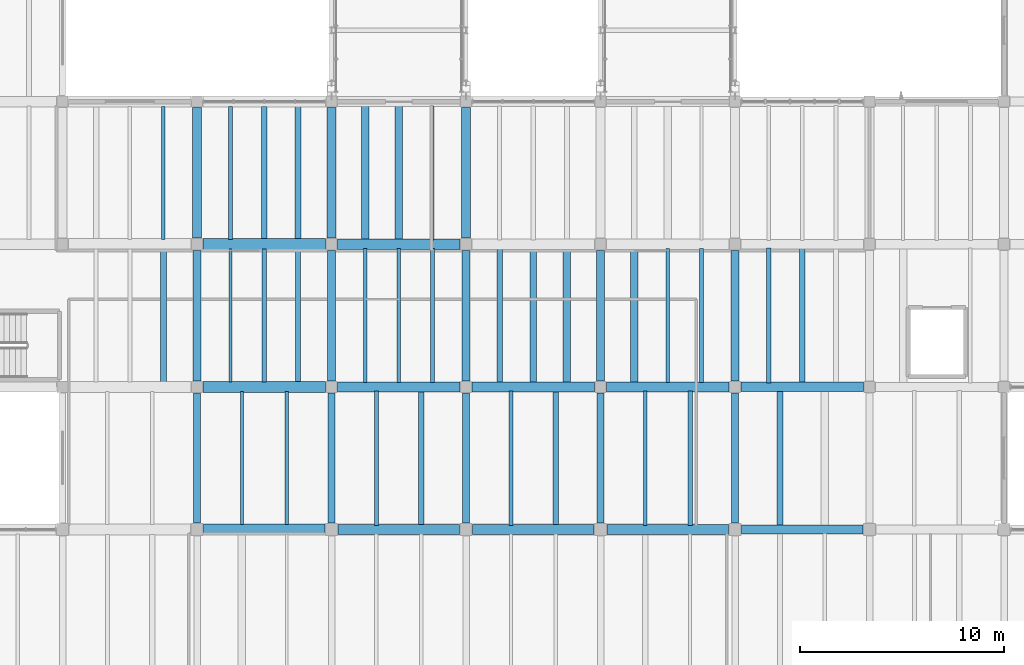
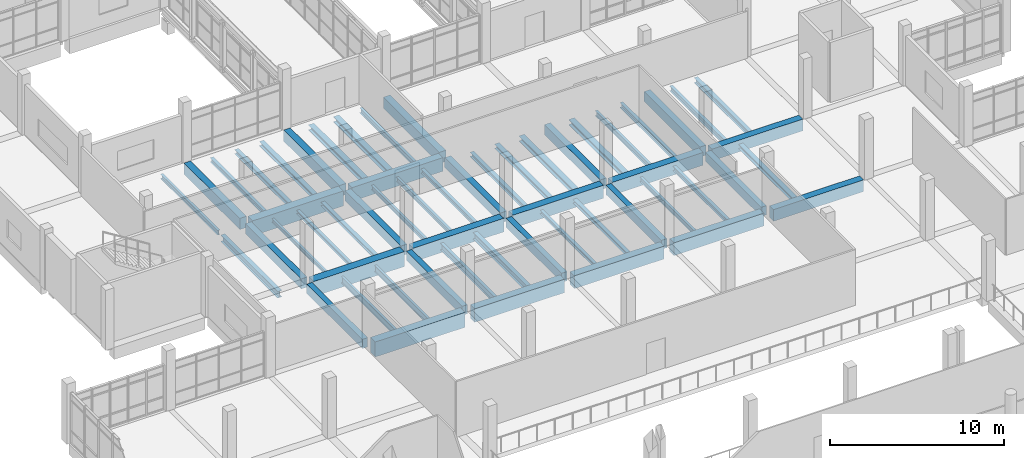
# One storey, part 17 of 67: 56 beams.
"""IFC4 building model written with IfcOpenShell, lengths in metres."""

from ifc_helpers import new_model, si_unit, direction, frame, origin, origin_2d, place, context, subcontext, project, spatial, rectangle, i_section, extrude, material, material_profile, profile_set, type_object, element, save


model = new_model("IFC4")

# Units and contexts
model_context = context("Model", 3, precision=1e-05, world=origin(), true_north=direction((0.0, 1.0)))
body_context = subcontext(model_context, "Body", "Model", "MODEL_VIEW")
ifc_project = project(units=[si_unit("LENGTHUNIT", "METRE"), si_unit("AREAUNIT", "SQUARE_METRE"), si_unit("VOLUMEUNIT", "CUBIC_METRE"), si_unit("PLANEANGLEUNIT", "RADIAN"), si_unit("MASSUNIT", "GRAM", prefix="KILO")], contexts=[model_context])

# Site, building, storey
site_placement = place(None, origin())
site = spatial("IfcSite", under=ifc_project, at=site_placement, CompositionType="ELEMENT")
building_placement = place(site_placement, origin())
building = spatial("IfcBuilding", under=site, at=building_placement, Name="Ciguamira Faculty of Natural Sciences", CompositionType="ELEMENT")
storey_placement = place(building_placement, frame((0.0, 0.0, 8.39990234375)))
storey = spatial("IfcBuildingStorey", under=building, at=storey_placement, Name="L02", CompositionType="ELEMENT", Elevation=8.39990234375)

# Beams
ifc_material_1 = material(Name="Concrete C40/50", Category="concrete")
ifc_material_profile_1 = material_profile(ifc_material_1, rectangle(XDim=0.550048828125, YDim=1.050048828125, at=origin_2d()), Name="RC-BM-550X1050")
ifc_profile_set_1 = profile_set([ifc_material_profile_1], Name="Concrete C40/50")
beam_type_1 = type_object("IfcBeamType", Name="RCBeam_BG-01_RC-BM-550X1050", PredefinedType="BEAM", material=ifc_profile_set_1)
beam_1_placement = place(storey_placement, frame((70.824951171875, 38.0, -0.52490234375), z_axis=(1.0, 0.0, 0.0), x_axis=(0.0, 1.0, 0.0)))
element("IfcBeam", 1, at=beam_1_placement, inside=storey, type_object=beam_type_1, Name="L02 RC girder EW-0775", PredefinedType="BEAM", context=body_context, shape_type="SweptSolid", body=[
    extrude(rectangle(XDim=0.550048828125, YDim=1.050048828125, at=origin_2d()), origin(), (0.0, 0.0, 1.0), 5.949951171875),
])
for number, where, z_axis, x_axis, name in (
    (2, (70.800048828125, 45.0, -0.52490234375), (1.0, 0.0, 0.0), (0.0, 1.0, 0.0), "L02 RC girder EW-0785"),
    (3, (70.800048828125, 52.0, -0.52490234375), (1.0, 0.0, 0.0), (0.0, 1.0, 0.0), "L02 RC girder EW-0794"),
):
    element("IfcBeam", number, at=place(storey_placement, frame(where, z_axis=z_axis, x_axis=x_axis)), inside=storey, type_object=beam_type_1, Name=name, PredefinedType="BEAM", context=body_context, shape_type="SweptSolid", body=[
        extrude(rectangle(XDim=0.550048828125, YDim=1.050048828125, at=origin_2d()), origin(), (0.0, 0.0, 1.0), 6.0),
    ])
ifc_material_profile_2 = material_profile(ifc_material_1, rectangle(XDim=0.5, YDim=0.949951171875, at=origin_2d()), Name="RC-BM-500X950")
ifc_profile_set_2 = profile_set([ifc_material_profile_2], Name="Concrete C40/50")
beam_type_2 = type_object("IfcBeamType", Name="RCBeam_BG-02_RC-BM-500X950", PredefinedType="BEAM", material=ifc_profile_set_2)
beam_2_placement = place(storey_placement, frame((77.425048828125, 38.0, -0.474853515625), z_axis=(1.0, 0.0, 0.0), x_axis=(0.0, 1.0, 0.0)))
element("IfcBeam", 4, at=beam_2_placement, inside=storey, type_object=beam_type_2, Name="L02 RC girder EW-0776", PredefinedType="BEAM", context=body_context, shape_type="SweptSolid", body=[
    extrude(rectangle(XDim=0.5, YDim=0.949951171875, at=origin_2d()), origin(), (0.0, 0.0, 1.0), 5.949951171875),
])
for number, where, z_axis, x_axis, name in (
    (5, (77.39990234375, 45.0, -0.474853515625), (1.0, 0.0, 0.0), (0.0, 1.0, 0.0), "L02 RC girder EW-0786"),
    (6, (77.39990234375, 52.0, -0.474853515625), (1.0, 0.0, 0.0), (0.0, 1.0, 0.0), "L02 RC girder EW-0795"),
):
    element("IfcBeam", number, at=place(storey_placement, frame(where, z_axis=z_axis, x_axis=x_axis)), inside=storey, type_object=beam_type_2, Name=name, PredefinedType="BEAM", context=body_context, shape_type="SweptSolid", body=[
        extrude(rectangle(XDim=0.5, YDim=0.949951171875, at=origin_2d()), origin(), (0.0, 0.0, 1.0), 6.0),
    ])
ifc_material_profile_3 = material_profile(ifc_material_1, rectangle(XDim=0.5, YDim=0.89990234375, at=origin_2d()), Name="RC-BM-500X900")
ifc_profile_set_3 = profile_set([ifc_material_profile_3], Name="Concrete C40/50")
beam_type_3 = type_object("IfcBeamType", Name="RCBeam_BG-03_RC-BM-500X900", PredefinedType="BEAM", material=ifc_profile_set_3)
beam_3_placement = place(storey_placement, frame((84.02490234375, 38.0, -0.449951171875), z_axis=(1.0, 0.0, 0.0), x_axis=(0.0, 1.0, 0.0)))
element("IfcBeam", 7, at=beam_3_placement, inside=storey, type_object=beam_type_3, Name="L02 RC girder EW-0777", PredefinedType="BEAM", context=body_context, shape_type="SweptSolid", body=[
    extrude(rectangle(XDim=0.5, YDim=0.89990234375, at=origin_2d()), origin(), (0.0, 0.0, 1.0), 5.9501953125),
])
beam_4_placement = place(storey_placement, frame((90.625, 38.0, -0.449951171875), z_axis=(1.0, 0.0, 0.0), x_axis=(0.0, 1.0, 0.0)))
element("IfcBeam", 8, at=beam_4_placement, inside=storey, type_object=beam_type_3, Name="L02 RC girder EW-0778", PredefinedType="BEAM", context=body_context, shape_type="SweptSolid", body=[
    extrude(rectangle(XDim=0.5, YDim=0.89990234375, at=origin_2d()), origin(), (0.0, 0.0, 1.0), 5.949951171875),
])
for number, where, z_axis, x_axis, name in (
    (9, (84.0, 45.0, -0.449951171875), (1.0, 0.0, 0.0), (0.0, 1.0, 0.0), "L02 RC girder EW-0787"),
    (10, (90.60009765625, 45.0, -0.449951171875), (1.0, 0.0, 0.0), (0.0, 1.0, 0.0), "L02 RC girder EW-0788"),
):
    element("IfcBeam", number, at=place(storey_placement, frame(where, z_axis=z_axis, x_axis=x_axis)), inside=storey, type_object=beam_type_3, Name=name, PredefinedType="BEAM", context=body_context, shape_type="SweptSolid", body=[
        extrude(rectangle(XDim=0.5, YDim=0.89990234375, at=origin_2d()), origin(), (0.0, 0.0, 1.0), 6.0),
    ])
ifc_material_profile_4 = material_profile(ifc_material_1, rectangle(XDim=0.4599609375, YDim=0.820068359375, at=origin_2d()), Name="RC-BM-460X820")
ifc_profile_set_4 = profile_set([ifc_material_profile_4], Name="Concrete C40/50")
beam_type_4 = type_object("IfcBeamType", Name="RCBeam_BG-04_RC-BM-460X820", PredefinedType="BEAM", material=ifc_profile_set_4)
beam_5_placement = place(storey_placement, frame((97.22509765625, 38.0, -0.409912109375), z_axis=(1.0, 0.0, 0.0), x_axis=(0.0, 1.0, 0.0)))
element("IfcBeam", 11, at=beam_5_placement, inside=storey, type_object=beam_type_4, Name="L02 RC girder EW-0779", PredefinedType="BEAM", context=body_context, shape_type="SweptSolid", body=[
    extrude(rectangle(XDim=0.4599609375, YDim=0.820068359375, at=origin_2d()), origin(), (0.0, 0.0, 1.0), 5.949951171875),
])
beam_6_placement = place(storey_placement, frame((97.199951171875, 45.0, -0.409912109375), z_axis=(1.0, 0.0, 0.0), x_axis=(0.0, 1.0, 0.0)))
element("IfcBeam", 12, at=beam_6_placement, inside=storey, type_object=beam_type_4, Name="L02 RC girder EW-0789", PredefinedType="BEAM", context=body_context, shape_type="SweptSolid", body=[
    extrude(rectangle(XDim=0.4599609375, YDim=0.820068359375, at=origin_2d()), origin(), (0.0, 0.0, 1.0), 6.0),
])
ifc_material_profile_5 = material_profile(ifc_material_1, rectangle(XDim=0.43994140625, YDim=0.780029296875, at=origin_2d()), Name="RC-BM-440X780")
ifc_profile_set_5 = profile_set([ifc_material_profile_5], Name="Concrete C40/50")
beam_type_5 = type_object("IfcBeamType", Name="RCBeam_BG-06_RC-BM-440X780", PredefinedType="BEAM", material=ifc_profile_set_5)
for number, where, z_axis, x_axis, name in (
    (13, (70.5, 52.300048828125, -0.389892578125), (0.0, 1.0, 0.0), (-1.0, 0.0, 0.0), "L02 girder NS-0927"),
    (14, (77.10009765625, 52.300048828125, -0.389892578125), (0.0, 1.0, 0.0), (-1.0, 0.0, 0.0), "L02 girder NS-0937"),
    (15, (83.699951171875, 52.300048828125, -0.389892578125), (0.0, 1.0, 0.0), (-1.0, 0.0, 0.0), "L02 girder NS-0947"),
):
    element("IfcBeam", number, at=place(storey_placement, frame(where, z_axis=z_axis, x_axis=x_axis)), inside=storey, type_object=beam_type_5, Name=name, PredefinedType="BEAM", context=body_context, shape_type="SweptSolid", body=[
        extrude(rectangle(XDim=0.43994140625, YDim=0.780029296875, at=origin_2d()), origin(), (0.0, 0.0, 1.0), 6.39990234375),
    ])
ifc_material_profile_6 = material_profile(ifc_material_1, rectangle(XDim=0.39990234375, YDim=0.699951171875, at=origin_2d()), Name="RC-BM-400X700")
ifc_profile_set_6 = profile_set([ifc_material_profile_6], Name="Concrete C40/50")
beam_type_6 = type_object("IfcBeamType", Name="RCBeam_BG-08_RC-BM-400X700", PredefinedType="BEAM", material=ifc_profile_set_6)
for number, where, z_axis, x_axis, name in (
    (16, (70.5, 45.300048828125, -0.349853515625), (0.0, 1.0, 0.0), (-1.0, 0.0, 0.0), "L02 girder NS-0926"),
    (17, (77.10009765625, 45.300048828125, -0.349853515625), (0.0, 1.0, 0.0), (-1.0, 0.0, 0.0), "L02 girder NS-0936"),
    (18, (83.699951171875, 45.300048828125, -0.349853515625), (0.0, 1.0, 0.0), (-1.0, 0.0, 0.0), "L02 girder NS-0946"),
    (19, (90.300048828125, 45.300048828125, -0.349853515625), (0.0, 1.0, 0.0), (-1.0, 0.0, 0.0), "L02 girder NS-0957"),
    (20, (96.89990234375, 45.300048828125, -0.349853515625), (0.0, 1.0, 0.0), (-1.0, 0.0, 0.0), "L02 girder NS-0968"),
):
    element("IfcBeam", number, at=place(storey_placement, frame(where, z_axis=z_axis, x_axis=x_axis)), inside=storey, type_object=beam_type_6, Name=name, PredefinedType="BEAM", context=body_context, shape_type="SweptSolid", body=[
        extrude(rectangle(XDim=0.39990234375, YDim=0.699951171875, at=origin_2d()), origin(), (0.0, 0.0, 1.0), 6.39990234375),
    ])
ifc_material_profile_7 = material_profile(ifc_material_1, rectangle(XDim=0.360107421875, YDim=0.639892578125, at=origin_2d()), Name="RC-BM-360X640")
ifc_profile_set_7 = profile_set([ifc_material_profile_7], Name="Concrete C40/50")
beam_type_7 = type_object("IfcBeamType", Name="RCBeam_BG-10_RC-BM-360X640", PredefinedType="BEAM", material=ifc_profile_set_7)
for number, where, z_axis, x_axis, name in (
    (21, (70.5, 38.324951171875, -0.31982421875), (0.0, 1.0, 0.0), (-1.0, 0.0, 0.0), "L02 girder NS-0925"),
    (22, (77.10009765625, 38.324951171875, -0.31982421875), (0.0, 1.0, 0.0), (-1.0, 0.0, 0.0), "L02 girder NS-0935"),
    (23, (83.699951171875, 38.324951171875, -0.31982421875), (0.0, 1.0, 0.0), (-1.0, 0.0, 0.0), "L02 girder NS-0945"),
    (24, (90.300048828125, 38.324951171875, -0.31982421875), (0.0, 1.0, 0.0), (-1.0, 0.0, 0.0), "L02 girder NS-0956"),
    (25, (96.89990234375, 38.324951171875, -0.31982421875), (0.0, 1.0, 0.0), (-1.0, 0.0, 0.0), "L02 girder NS-0967"),
):
    element("IfcBeam", number, at=place(storey_placement, frame(where, z_axis=z_axis, x_axis=x_axis)), inside=storey, type_object=beam_type_7, Name=name, PredefinedType="BEAM", context=body_context, shape_type="SweptSolid", body=[
        extrude(rectangle(XDim=0.360107421875, YDim=0.639892578125, at=origin_2d()), origin(), (0.0, 0.0, 1.0), 6.375),
    ])
ifc_material_2 = material(Name="Steel ASTM A992 Grade 50", Category="steel")
ifc_material_profile_8 = material_profile(ifc_material_2, i_section(OverallWidth=0.14599609375, OverallDepth=0.259033203125, WebThickness=0.006103515625, FlangeThickness=0.009033203125, at=origin_2d()), Name="W10X22")
ifc_profile_set_8 = profile_set([ifc_material_profile_8], Name="Steel ASTM A992 Grade 50")
beam_type_8 = type_object("IfcBeamType", Name="SteelJoist_SJ-01_W10X22", PredefinedType="JOIST", material=ifc_profile_set_8)
beam_7_placement = place(storey_placement, frame((72.14990234375, 45.235107421875, -0.409423828125), z_axis=(0.0, 1.0, 0.0), x_axis=(-1.0, 0.0, 0.0)))
element("IfcBeam", 26, at=beam_7_placement, inside=storey, type_object=beam_type_8, Name="L02 composite steel joist 00771", PredefinedType="JOIST", context=body_context, shape_type="SweptSolid", body=[
    extrude(i_section(OverallWidth=0.14599609375, OverallDepth=0.259033203125, WebThickness=0.006103515625, FlangeThickness=0.009033203125, at=origin_2d()), origin(), (0.0, 0.0, 1.0), 6.52978515625),
])
ifc_material_profile_9 = material_profile(ifc_material_2, i_section(OverallWidth=0.2021484375, OverallDepth=0.2470703125, WebThickness=0.00732421875, FlangeThickness=0.010986328125, at=origin_2d()), Name="W10X33")
ifc_profile_set_9 = profile_set([ifc_material_profile_9], Name="Steel ASTM A992 Grade 50")
beam_type_9 = type_object("IfcBeamType", Name="SteelJoist_SJ-02_W10X33", PredefinedType="JOIST", material=ifc_profile_set_9)
beam_8_placement = place(storey_placement, frame((73.800048828125, 45.235107421875, -0.403564453125), z_axis=(0.0, 1.0, 0.0), x_axis=(-1.0, 0.0, 0.0)))
element("IfcBeam", 27, at=beam_8_placement, inside=storey, type_object=beam_type_9, Name="L02 composite steel joist 00772", PredefinedType="JOIST", context=body_context, shape_type="SweptSolid", body=[
    extrude(i_section(OverallWidth=0.2021484375, OverallDepth=0.2470703125, WebThickness=0.00732421875, FlangeThickness=0.010986328125, at=origin_2d()), origin(), (0.0, 0.0, 1.0), 6.52978515625),
])
beam_9_placement = place(storey_placement, frame((85.89990234375, 38.2099609375, -0.403564453125), z_axis=(0.0, 1.0, 0.0), x_axis=(-1.0, 0.0, 0.0)))
element("IfcBeam", 28, at=beam_9_placement, inside=storey, type_object=beam_type_9, Name="L02 composite steel joist 00820", PredefinedType="JOIST", context=body_context, shape_type="SweptSolid", body=[
    extrude(i_section(OverallWidth=0.2021484375, OverallDepth=0.2470703125, WebThickness=0.00732421875, FlangeThickness=0.010986328125, at=origin_2d()), origin(), (0.0, 0.0, 1.0), 6.580078125),
])
ifc_material_profile_10 = material_profile(ifc_material_2, i_section(OverallWidth=0.25390625, OverallDepth=0.25390625, WebThickness=0.008544921875, FlangeThickness=0.01416015625, at=origin_2d()), Name="W10X49")
ifc_profile_set_10 = profile_set([ifc_material_profile_10], Name="Steel ASTM A992 Grade 50")
beam_type_10 = type_object("IfcBeamType", Name="SteelJoist_SJ-03_W10X49", PredefinedType="JOIST", material=ifc_profile_set_10)
beam_10_placement = place(storey_placement, frame((75.449951171875, 45.235107421875, -0.406982421875), z_axis=(0.0, 1.0, 0.0), x_axis=(-1.0, 0.0, 0.0)))
element("IfcBeam", 29, at=beam_10_placement, inside=storey, type_object=beam_type_10, Name="L02 composite steel joist 00773", PredefinedType="JOIST", context=body_context, shape_type="SweptSolid", body=[
    extrude(i_section(OverallWidth=0.25390625, OverallDepth=0.25390625, WebThickness=0.008544921875, FlangeThickness=0.01416015625, at=origin_2d()), origin(), (0.0, 0.0, 1.0), 6.52978515625),
])
beam_11_placement = place(storey_placement, frame((88.10009765625, 38.2099609375, -0.406982421875), z_axis=(0.0, 1.0, 0.0), x_axis=(-1.0, 0.0, 0.0)))
element("IfcBeam", 30, at=beam_11_placement, inside=storey, type_object=beam_type_10, Name="L02 composite steel joist 00821", PredefinedType="JOIST", context=body_context, shape_type="SweptSolid", body=[
    extrude(i_section(OverallWidth=0.25390625, OverallDepth=0.25390625, WebThickness=0.008544921875, FlangeThickness=0.01416015625, at=origin_2d()), origin(), (0.0, 0.0, 1.0), 6.580078125),
])
ifc_material_profile_11 = material_profile(ifc_material_2, i_section(OverallWidth=0.164794921875, OverallDepth=0.309814453125, WebThickness=0.005859375, FlangeThickness=0.009765625, at=origin_2d()), Name="W12X26")
ifc_profile_set_11 = profile_set([ifc_material_profile_11], Name="Steel ASTM A992 Grade 50")
beam_type_11 = type_object("IfcBeamType", Name="SteelJoist_SJ-04_W12X26", PredefinedType="JOIST", material=ifc_profile_set_11)
beam_12_placement = place(storey_placement, frame((78.75, 45.2099609375, -0.434814453125), z_axis=(0.0, 1.0, 0.0), x_axis=(-1.0, 0.0, 0.0)))
element("IfcBeam", 31, at=beam_12_placement, inside=storey, type_object=beam_type_11, Name="L02 composite steel joist 00796", PredefinedType="JOIST", context=body_context, shape_type="SweptSolid", body=[
    extrude(i_section(OverallWidth=0.164794921875, OverallDepth=0.309814453125, WebThickness=0.005859375, FlangeThickness=0.009765625, at=origin_2d()), origin(), (0.0, 0.0, 1.0), 6.580078125),
])
ifc_material_profile_12 = material_profile(ifc_material_2, i_section(OverallWidth=0.16650390625, OverallDepth=0.3173828125, WebThickness=0.007568359375, FlangeThickness=0.01318359375, at=origin_2d()), Name="W12X35")
ifc_profile_set_12 = profile_set([ifc_material_profile_12], Name="Steel ASTM A992 Grade 50")
beam_type_12 = type_object("IfcBeamType", Name="SteelJoist_SJ-05_W12X35", PredefinedType="JOIST", material=ifc_profile_set_12)
beam_13_placement = place(storey_placement, frame((68.85009765625, 52.235107421875, -0.438720703125), z_axis=(0.0, 1.0, 0.0), x_axis=(-1.0, 0.0, 0.0)))
element("IfcBeam", 32, at=beam_13_placement, inside=storey, type_object=beam_type_12, Name="L02 composite steel joist 00750", PredefinedType="JOIST", context=body_context, shape_type="SweptSolid", body=[
    extrude(i_section(OverallWidth=0.16650390625, OverallDepth=0.3173828125, WebThickness=0.007568359375, FlangeThickness=0.01318359375, at=origin_2d()), origin(), (0.0, 0.0, 1.0), 6.52978515625),
])
for number, where, z_axis, x_axis, name in (
    (33, (80.39990234375, 45.2099609375, -0.438720703125), (0.0, 1.0, 0.0), (-1.0, 0.0, 0.0), "L02 composite steel joist 00797"),
    (34, (92.5, 38.2099609375, -0.438720703125), (0.0, 1.0, 0.0), (-1.0, 0.0, 0.0), "L02 composite steel joist 00845"),
):
    element("IfcBeam", number, at=place(storey_placement, frame(where, z_axis=z_axis, x_axis=x_axis)), inside=storey, type_object=beam_type_12, Name=name, PredefinedType="JOIST", context=body_context, shape_type="SweptSolid", body=[
        extrude(i_section(OverallWidth=0.16650390625, OverallDepth=0.3173828125, WebThickness=0.007568359375, FlangeThickness=0.01318359375, at=origin_2d()), origin(), (0.0, 0.0, 1.0), 6.580078125),
    ])
ifc_material_profile_13 = material_profile(ifc_material_2, i_section(OverallWidth=0.20458984375, OverallDepth=0.307373046875, WebThickness=0.008544921875, FlangeThickness=0.0146484375, at=origin_2d()), Name="W12X45")
ifc_profile_set_13 = profile_set([ifc_material_profile_13], Name="Steel ASTM A992 Grade 50")
beam_type_13 = type_object("IfcBeamType", Name="SteelJoist_SJ-06_W12X45", PredefinedType="JOIST", material=ifc_profile_set_13)
beam_14_placement = place(storey_placement, frame((72.14990234375, 52.235107421875, -0.43359375), z_axis=(0.0, 1.0, 0.0), x_axis=(-1.0, 0.0, 0.0)))
element("IfcBeam", 35, at=beam_14_placement, inside=storey, type_object=beam_type_13, Name="L02 composite steel joist 00774", PredefinedType="JOIST", context=body_context, shape_type="SweptSolid", body=[
    extrude(i_section(OverallWidth=0.20458984375, OverallDepth=0.307373046875, WebThickness=0.008544921875, FlangeThickness=0.0146484375, at=origin_2d()), origin(), (0.0, 0.0, 1.0), 6.52978515625),
])
for number, where, z_axis, x_axis, name in (
    (36, (82.050048828125, 45.2099609375, -0.43359375), (0.0, 1.0, 0.0), (-1.0, 0.0, 0.0), "L02 composite steel joist 00798"),
    (37, (94.699951171875, 38.2099609375, -0.43359375), (0.0, 1.0, 0.0), (-1.0, 0.0, 0.0), "L02 composite steel joist 00846"),
):
    element("IfcBeam", number, at=place(storey_placement, frame(where, z_axis=z_axis, x_axis=x_axis)), inside=storey, type_object=beam_type_13, Name=name, PredefinedType="JOIST", context=body_context, shape_type="SweptSolid", body=[
        extrude(i_section(OverallWidth=0.20458984375, OverallDepth=0.307373046875, WebThickness=0.008544921875, FlangeThickness=0.0146484375, at=origin_2d()), origin(), (0.0, 0.0, 1.0), 6.580078125),
    ])
ifc_material_profile_14 = material_profile(ifc_material_2, i_section(OverallWidth=0.25390625, OverallDepth=0.307373046875, WebThickness=0.0087890625, FlangeThickness=0.0146484375, at=origin_2d()), Name="W12X53")
ifc_profile_set_14 = profile_set([ifc_material_profile_14], Name="Steel ASTM A992 Grade 50")
beam_type_14 = type_object("IfcBeamType", Name="SteelJoist_SJ-07_W12X53", PredefinedType="JOIST", material=ifc_profile_set_14)
beam_15_placement = place(storey_placement, frame((73.800048828125, 52.235107421875, -0.43359375), z_axis=(0.0, 1.0, 0.0), x_axis=(-1.0, 0.0, 0.0)))
element("IfcBeam", 38, at=beam_15_placement, inside=storey, type_object=beam_type_14, Name="L02 composite steel joist 00775", PredefinedType="JOIST", context=body_context, shape_type="SweptSolid", body=[
    extrude(i_section(OverallWidth=0.25390625, OverallDepth=0.307373046875, WebThickness=0.0087890625, FlangeThickness=0.0146484375, at=origin_2d()), origin(), (0.0, 0.0, 1.0), 6.52978515625),
])
beam_16_placement = place(storey_placement, frame((85.35009765625, 45.2099609375, -0.43359375), z_axis=(0.0, 1.0, 0.0), x_axis=(-1.0, 0.0, 0.0)))
element("IfcBeam", 39, at=beam_16_placement, inside=storey, type_object=beam_type_14, Name="L02 composite steel joist 00822", PredefinedType="JOIST", context=body_context, shape_type="SweptSolid", body=[
    extrude(i_section(OverallWidth=0.25390625, OverallDepth=0.307373046875, WebThickness=0.0087890625, FlangeThickness=0.0146484375, at=origin_2d()), origin(), (0.0, 0.0, 1.0), 6.580078125),
])
ifc_material_profile_15 = material_profile(ifc_material_2, i_section(OverallWidth=0.3046875, OverallDepth=0.307373046875, WebThickness=0.010009765625, FlangeThickness=0.015380859375, at=origin_2d()), Name="W12X65")
ifc_profile_set_15 = profile_set([ifc_material_profile_15], Name="Steel ASTM A992 Grade 50")
beam_type_15 = type_object("IfcBeamType", Name="SteelJoist_SJ-08_W12X65", PredefinedType="JOIST", material=ifc_profile_set_15)
beam_17_placement = place(storey_placement, frame((75.449951171875, 52.235107421875, -0.43359375), z_axis=(0.0, 1.0, 0.0), x_axis=(-1.0, 0.0, 0.0)))
element("IfcBeam", 40, at=beam_17_placement, inside=storey, type_object=beam_type_15, Name="L02 composite steel joist 00776", PredefinedType="JOIST", context=body_context, shape_type="SweptSolid", body=[
    extrude(i_section(OverallWidth=0.3046875, OverallDepth=0.307373046875, WebThickness=0.010009765625, FlangeThickness=0.015380859375, at=origin_2d()), origin(), (0.0, 0.0, 1.0), 6.52978515625),
])
beam_18_placement = place(storey_placement, frame((87.0, 45.2099609375, -0.43359375), z_axis=(0.0, 1.0, 0.0), x_axis=(-1.0, 0.0, 0.0)))
element("IfcBeam", 41, at=beam_18_placement, inside=storey, type_object=beam_type_15, Name="L02 composite steel joist 00823", PredefinedType="JOIST", context=body_context, shape_type="SweptSolid", body=[
    extrude(i_section(OverallWidth=0.3046875, OverallDepth=0.307373046875, WebThickness=0.010009765625, FlangeThickness=0.015380859375, at=origin_2d()), origin(), (0.0, 0.0, 1.0), 6.580078125),
])
beam_19_placement = place(storey_placement, frame((99.10009765625, 38.18994140625, -0.43359375), z_axis=(0.0, 1.0, 0.0), x_axis=(-1.0, 0.0, 0.0)))
element("IfcBeam", 42, at=beam_19_placement, inside=storey, type_object=beam_type_15, Name="L02 composite steel joist 00871", PredefinedType="JOIST", context=body_context, shape_type="SweptSolid", body=[
    extrude(i_section(OverallWidth=0.3046875, OverallDepth=0.307373046875, WebThickness=0.010009765625, FlangeThickness=0.015380859375, at=origin_2d()), origin(), (0.0, 0.0, 1.0), 6.6201171875),
])
ifc_material_profile_16 = material_profile(ifc_material_2, i_section(OverallWidth=0.370849609375, OverallDepth=0.36328125, WebThickness=0.013427734375, FlangeThickness=0.021728515625, at=origin_2d()), Name="W14X109")
ifc_profile_set_16 = profile_set([ifc_material_profile_16], Name="Steel ASTM A992 Grade 50")
beam_type_16 = type_object("IfcBeamType", Name="SteelJoist_SJ-09_W14X109", PredefinedType="JOIST", material=ifc_profile_set_16)
for number, where, z_axis, x_axis, name in (
    (43, (78.75, 52.2099609375, -0.46142578125), (0.0, 1.0, 0.0), (-1.0, 0.0, 0.0), "L02 composite steel joist 00799"),
    (44, (88.64990234375, 45.2099609375, -0.46142578125), (0.0, 1.0, 0.0), (-1.0, 0.0, 0.0), "L02 composite steel joist 00824"),
):
    element("IfcBeam", number, at=place(storey_placement, frame(where, z_axis=z_axis, x_axis=x_axis)), inside=storey, type_object=beam_type_16, Name=name, PredefinedType="JOIST", context=body_context, shape_type="SweptSolid", body=[
        extrude(i_section(OverallWidth=0.370849609375, OverallDepth=0.36328125, WebThickness=0.013427734375, FlangeThickness=0.021728515625, at=origin_2d()), origin(), (0.0, 0.0, 1.0), 6.580078125),
    ])
ifc_material_profile_17 = material_profile(ifc_material_2, i_section(OverallWidth=0.373291015625, OverallDepth=0.373291015625, WebThickness=0.016357421875, FlangeThickness=0.026123046875, at=origin_2d()), Name="W14X132")
ifc_profile_set_17 = profile_set([ifc_material_profile_17], Name="Steel ASTM A992 Grade 50")
beam_type_17 = type_object("IfcBeamType", Name="SteelJoist_SJ-10_W14X132", PredefinedType="JOIST", material=ifc_profile_set_17)
for number, where, z_axis, x_axis, name in (
    (45, (80.39990234375, 52.2099609375, -0.466552734375), (0.0, 1.0, 0.0), (-1.0, 0.0, 0.0), "L02 composite steel joist 00800"),
    (46, (91.949951171875, 45.2099609375, -0.466552734375), (0.0, 1.0, 0.0), (-1.0, 0.0, 0.0), "L02 composite steel joist 00847"),
):
    element("IfcBeam", number, at=place(storey_placement, frame(where, z_axis=z_axis, x_axis=x_axis)), inside=storey, type_object=beam_type_17, Name=name, PredefinedType="JOIST", context=body_context, shape_type="SweptSolid", body=[
        extrude(i_section(OverallWidth=0.373291015625, OverallDepth=0.373291015625, WebThickness=0.016357421875, FlangeThickness=0.026123046875, at=origin_2d()), origin(), (0.0, 0.0, 1.0), 6.580078125),
    ])
ifc_material_profile_18 = material_profile(ifc_material_2, i_section(OverallWidth=0.1708984375, OverallDepth=0.3505859375, WebThickness=0.0068359375, FlangeThickness=0.009765625, at=origin_2d()), Name="W14X30")
ifc_profile_set_18 = profile_set([ifc_material_profile_18], Name="Steel ASTM A992 Grade 50")
beam_type_18 = type_object("IfcBeamType", Name="SteelJoist_SJ-11_W14X30", PredefinedType="JOIST", material=ifc_profile_set_18)
for number, where, z_axis, x_axis, name in (
    (47, (82.050048828125, 52.2099609375, -0.455322265625), (0.0, 1.0, 0.0), (-1.0, 0.0, 0.0), "L02 composite steel joist 00801"),
    (48, (93.60009765625, 45.2099609375, -0.455322265625), (0.0, 1.0, 0.0), (-1.0, 0.0, 0.0), "L02 composite steel joist 00848"),
):
    element("IfcBeam", number, at=place(storey_placement, frame(where, z_axis=z_axis, x_axis=x_axis)), inside=storey, type_object=beam_type_18, Name=name, PredefinedType="JOIST", context=body_context, shape_type="SweptSolid", body=[
        extrude(i_section(OverallWidth=0.1708984375, OverallDepth=0.3505859375, WebThickness=0.0068359375, FlangeThickness=0.009765625, at=origin_2d()), origin(), (0.0, 0.0, 1.0), 6.580078125),
    ])
ifc_material_profile_19 = material_profile(ifc_material_2, i_section(OverallWidth=0.203125, OverallDepth=0.347900390625, WebThickness=0.0078125, FlangeThickness=0.013427734375, at=origin_2d()), Name="W14X43")
ifc_profile_set_19 = profile_set([ifc_material_profile_19], Name="Steel ASTM A992 Grade 50")
beam_type_19 = type_object("IfcBeamType", Name="SteelJoist_SJ-12_W14X43", PredefinedType="JOIST", material=ifc_profile_set_19)
beam_20_placement = place(storey_placement, frame((95.25, 45.2099609375, -0.453857421875), z_axis=(0.0, 1.0, 0.0), x_axis=(-1.0, 0.0, 0.0)))
element("IfcBeam", 49, at=beam_20_placement, inside=storey, type_object=beam_type_19, Name="L02 composite steel joist 00849", PredefinedType="JOIST", context=body_context, shape_type="SweptSolid", body=[
    extrude(i_section(OverallWidth=0.203125, OverallDepth=0.347900390625, WebThickness=0.0078125, FlangeThickness=0.013427734375, at=origin_2d()), origin(), (0.0, 0.0, 1.0), 6.580078125),
])
ifc_material_profile_20 = material_profile(ifc_material_2, i_section(OverallWidth=0.204833984375, OverallDepth=0.35302734375, WebThickness=0.00927734375, FlangeThickness=0.016845703125, at=origin_2d()), Name="W14X53")
ifc_profile_set_20 = profile_set([ifc_material_profile_20], Name="Steel ASTM A992 Grade 50")
beam_type_20 = type_object("IfcBeamType", Name="SteelJoist_SJ-13_W14X53", PredefinedType="JOIST", material=ifc_profile_set_20)
beam_21_placement = place(storey_placement, frame((98.550048828125, 45.18994140625, -0.456298828125), z_axis=(0.0, 1.0, 0.0), x_axis=(-1.0, 0.0, 0.0)))
element("IfcBeam", 50, at=beam_21_placement, inside=storey, type_object=beam_type_20, Name="L02 composite steel joist 00873", PredefinedType="JOIST", context=body_context, shape_type="SweptSolid", body=[
    extrude(i_section(OverallWidth=0.204833984375, OverallDepth=0.35302734375, WebThickness=0.00927734375, FlangeThickness=0.016845703125, at=origin_2d()), origin(), (0.0, 0.0, 1.0), 6.6201171875),
])
ifc_material_profile_21 = material_profile(ifc_material_2, i_section(OverallWidth=0.25390625, OverallDepth=0.355712890625, WebThickness=0.010498046875, FlangeThickness=0.018310546875, at=origin_2d()), Name="W14X68")
ifc_profile_set_21 = profile_set([ifc_material_profile_21], Name="Steel ASTM A992 Grade 50")
beam_type_21 = type_object("IfcBeamType", Name="SteelJoist_SJ-14_W14X68", PredefinedType="JOIST", material=ifc_profile_set_21)
beam_22_placement = place(storey_placement, frame((100.199951171875, 45.18994140625, -0.457763671875), z_axis=(0.0, 1.0, 0.0), x_axis=(-1.0, 0.0, 0.0)))
element("IfcBeam", 51, at=beam_22_placement, inside=storey, type_object=beam_type_21, Name="L02 composite steel joist 00874", PredefinedType="JOIST", context=body_context, shape_type="SweptSolid", body=[
    extrude(i_section(OverallWidth=0.25390625, OverallDepth=0.355712890625, WebThickness=0.010498046875, FlangeThickness=0.018310546875, at=origin_2d()), origin(), (0.0, 0.0, 1.0), 6.6201171875),
])
ifc_material_profile_22 = material_profile(ifc_material_2, i_section(OverallWidth=0.15234375, OverallDepth=0.449462890625, WebThickness=0.007568359375, FlangeThickness=0.0107421875, at=origin_2d()), Name="W18X35")
ifc_profile_set_22 = profile_set([ifc_material_profile_22], Name="Steel ASTM A992 Grade 50")
beam_type_22 = type_object("IfcBeamType", Name="SteelJoist_SJ-21_W18X35", PredefinedType="JOIST", material=ifc_profile_set_22)
beam_23_placement = place(storey_placement, frame((72.699951171875, 38.235107421875, -0.504638671875), z_axis=(0.0, 1.0, 0.0), x_axis=(-1.0, 0.0, 0.0)))
element("IfcBeam", 52, at=beam_23_placement, inside=storey, type_object=beam_type_22, Name="L02 composite steel joist 00769", PredefinedType="JOIST", context=body_context, shape_type="SweptSolid", body=[
    extrude(i_section(OverallWidth=0.15234375, OverallDepth=0.449462890625, WebThickness=0.007568359375, FlangeThickness=0.0107421875, at=origin_2d()), origin(), (0.0, 0.0, 1.0), 6.52978515625),
])
ifc_material_profile_23 = material_profile(ifc_material_2, i_section(OverallWidth=0.15283203125, OverallDepth=0.45458984375, WebThickness=0.008056640625, FlangeThickness=0.013427734375, at=origin_2d()), Name="W18X40")
ifc_profile_set_23 = profile_set([ifc_material_profile_23], Name="Steel ASTM A992 Grade 50")
beam_type_23 = type_object("IfcBeamType", Name="SteelJoist_SJ-22_W18X40", PredefinedType="JOIST", material=ifc_profile_set_23)
beam_24_placement = place(storey_placement, frame((74.89990234375, 38.235107421875, -0.50732421875), z_axis=(0.0, 1.0, 0.0), x_axis=(-1.0, 0.0, 0.0)))
element("IfcBeam", 53, at=beam_24_placement, inside=storey, type_object=beam_type_23, Name="L02 composite steel joist 00770", PredefinedType="JOIST", context=body_context, shape_type="SweptSolid", body=[
    extrude(i_section(OverallWidth=0.15283203125, OverallDepth=0.45458984375, WebThickness=0.008056640625, FlangeThickness=0.013427734375, at=origin_2d()), origin(), (0.0, 0.0, 1.0), 6.52978515625),
])
ifc_material_profile_24 = material_profile(ifc_material_2, i_section(OverallWidth=0.19287109375, OverallDepth=0.46728515625, WebThickness=0.011474609375, FlangeThickness=0.01904296875, at=origin_2d()), Name="W18X65")
ifc_profile_set_24 = profile_set([ifc_material_profile_24], Name="Steel ASTM A992 Grade 50")
beam_type_24 = type_object("IfcBeamType", Name="SteelJoist_SJ-24_W18X65", PredefinedType="JOIST", material=ifc_profile_set_24)
beam_25_placement = place(storey_placement, frame((79.300048828125, 38.2099609375, -0.513671875), z_axis=(0.0, 1.0, 0.0), x_axis=(-1.0, 0.0, 0.0)))
element("IfcBeam", 54, at=beam_25_placement, inside=storey, type_object=beam_type_24, Name="L02 composite steel joist 00794", PredefinedType="JOIST", context=body_context, shape_type="SweptSolid", body=[
    extrude(i_section(OverallWidth=0.19287109375, OverallDepth=0.46728515625, WebThickness=0.011474609375, FlangeThickness=0.01904296875, at=origin_2d()), origin(), (0.0, 0.0, 1.0), 6.580078125),
])
ifc_material_profile_25 = material_profile(ifc_material_2, i_section(OverallWidth=0.279296875, OverallDepth=0.462158203125, WebThickness=0.0107421875, FlangeThickness=0.017333984375, at=origin_2d()), Name="W18X76")
ifc_profile_set_25 = profile_set([ifc_material_profile_25], Name="Steel ASTM A992 Grade 50")
beam_type_25 = type_object("IfcBeamType", Name="SteelJoist_SJ-25_W18X76", PredefinedType="JOIST", material=ifc_profile_set_25)
beam_26_placement = place(storey_placement, frame((68.85009765625, 45.235107421875, -0.510986328125), z_axis=(0.0, 1.0, 0.0), x_axis=(-1.0, 0.0, 0.0)))
element("IfcBeam", 55, at=beam_26_placement, inside=storey, type_object=beam_type_25, Name="L02 composite steel joist 00747", PredefinedType="JOIST", context=body_context, shape_type="SweptSolid", body=[
    extrude(i_section(OverallWidth=0.279296875, OverallDepth=0.462158203125, WebThickness=0.0107421875, FlangeThickness=0.017333984375, at=origin_2d()), origin(), (0.0, 0.0, 1.0), 6.52978515625),
])
beam_27_placement = place(storey_placement, frame((81.5, 38.2099609375, -0.510986328125), z_axis=(0.0, 1.0, 0.0), x_axis=(-1.0, 0.0, 0.0)))
element("IfcBeam", 56, at=beam_27_placement, inside=storey, type_object=beam_type_25, Name="L02 composite steel joist 00795", PredefinedType="JOIST", context=body_context, shape_type="SweptSolid", body=[
    extrude(i_section(OverallWidth=0.279296875, OverallDepth=0.462158203125, WebThickness=0.0107421875, FlangeThickness=0.017333984375, at=origin_2d()), origin(), (0.0, 0.0, 1.0), 6.580078125),
])

save(model, "model.ifc")
